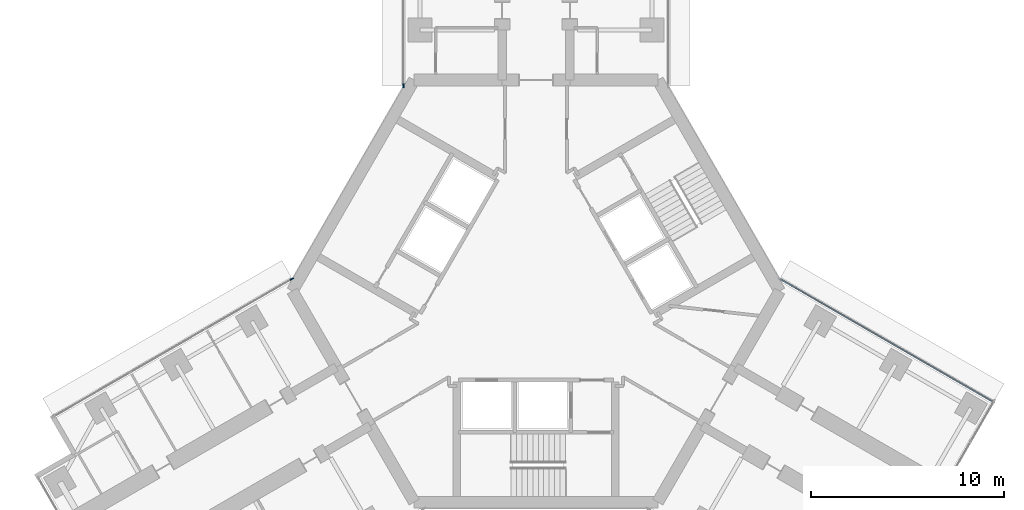
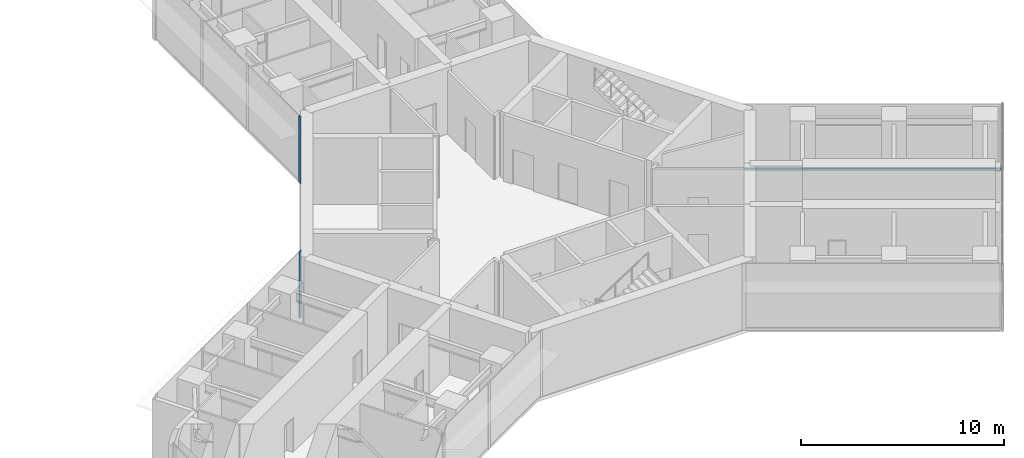
# One storey, part 9 of 23: 3 members, 3 elements without a shape of their own.
"""IFC4 building model written with IfcOpenShell, lengths in metres."""

from ifc_helpers import new_model, si_unit, direction, frame, origin, origin_2d, place, context, subcontext, project, spatial, rectangle, extrude, material, material_profile, profile_set, type_object, element, aggregate, save


model = new_model("IFC4")

# Units and contexts
model_context = context("Model", 3, precision=1e-05, world=origin(), true_north=direction((0.0, 1.0)))
body_context = subcontext(model_context, "Body", "Model", "MODEL_VIEW")
ifc_project = project(units=[si_unit("LENGTHUNIT", "METRE"), si_unit("AREAUNIT", "SQUARE_METRE"), si_unit("VOLUMEUNIT", "CUBIC_METRE"), si_unit("PLANEANGLEUNIT", "RADIAN"), si_unit("MASSUNIT", "GRAM", prefix="KILO")], contexts=[model_context])

# Site, building, storey
site_placement = place(None, origin())
site = spatial("IfcSite", under=ifc_project, at=site_placement, CompositionType="ELEMENT")
building_placement = place(site_placement, origin())
building = spatial("IfcBuilding", under=site, at=building_placement, Name="Upepo Twin Towers", CompositionType="ELEMENT")
storey_placement = place(building_placement, frame((0.0, 0.0, 149.5)))
storey = spatial("IfcBuildingStorey", under=building, at=storey_placement, Name="L36", CompositionType="ELEMENT", Elevation=149.5)

# Curtain wall, member
ifc_material_1 = material(Name="Aluminium and fritted glass", Category="aluminium")
curtain_wall_type = type_object("IfcCurtainWallType", Name="Tower curtain wall TW2, fritted glass", PredefinedType="NOTDEFINED", material=ifc_material_1)
curtain_wall_1_placement = place(storey_placement, origin())
curtain_wall_1 = element("IfcCurtainWall", 1, at=curtain_wall_1_placement, inside=storey, type_object=curtain_wall_type, Name="T2 L36 wing A flank L curtain wall", PredefinedType="NOTDEFINED")
ifc_material_2 = material(Name="Aluminium mullion", Category="aluminium")
ifc_material_profile_1 = material_profile(ifc_material_2, rectangle(XDim=0.06494140625, YDim=0.199951171875, at=origin_2d()), Name="MULLION 65x200")
ifc_profile_set_1 = profile_set([ifc_material_profile_1], Name="Aluminium mullion")
member_type_1 = type_object("IfcMemberType", Name="Mullion 65x200 TW2", PredefinedType="MULLION", material=ifc_profile_set_1)
member_1_placement = place(storey_placement, frame((51.64990234375, -7.38037109375, 0.0), z_axis=(0.0, 0.0, 1.0), x_axis=(-1.0, 0.0, 0.0)))
member_1 = element("IfcMember", 2, at=member_1_placement, type_object=member_type_1, Name="T2 L36 wing A flank L curtain wall mullion 1", PredefinedType="MULLION", context=body_context, shape_type="SweptSolid", body=[
    extrude(rectangle(XDim=0.06494140625, YDim=0.199951171875, at=origin_2d()), origin(), (0.0, 0.0, 1.0), 4.0),
])
aggregate(curtain_wall_1, [member_1])

curtain_wall_2_placement = place(storey_placement, origin())
curtain_wall_2 = element("IfcCurtainWall", 3, at=curtain_wall_2_placement, inside=storey, type_object=curtain_wall_type, Name="T2 L36 wing B flank R curtain wall", PredefinedType="NOTDEFINED")
member_2_placement = place(storey_placement, frame((45.878173828125, -17.37744140625, 0.0), z_axis=(0.0, 0.0, 1.0), x_axis=(-0.500000010308, 0.866025397833, 0.0)))
member_2 = element("IfcMember", 4, at=member_2_placement, type_object=member_type_1, Name="T2 L36 wing B flank R curtain wall mullion 4", PredefinedType="MULLION", context=body_context, shape_type="SweptSolid", body=[
    extrude(rectangle(XDim=0.06494140625, YDim=0.199951171875, at=origin_2d()), origin(), (0.0, 0.0, 1.0), 4.0),
])
aggregate(curtain_wall_2, [member_2])

curtain_wall_3_placement = place(storey_placement, origin())
curtain_wall_3 = element("IfcCurtainWall", 5, at=curtain_wall_3_placement, inside=storey, type_object=curtain_wall_type, Name="T2 L36 wing C flank L curtain wall", PredefinedType="NOTDEFINED")
ifc_material_3 = material(Name="Aluminium transom", Category="aluminium")
ifc_material_profile_2 = material_profile(ifc_material_3, rectangle(XDim=0.06494140625, YDim=0.14990234375, at=origin_2d()), Name="TRANSOM 65x150")
ifc_profile_set_2 = profile_set([ifc_material_profile_2], Name="Aluminium transom")
member_type_2 = type_object("IfcMemberType", Name="Transom 65x150 TW2", PredefinedType="USERDEFINED", material=ifc_profile_set_2)
member_3_placement = place(storey_placement, frame((71.14990234375, -17.393798828125, 0.074951171875), z_axis=(0.866027247007, -0.499996807431, 0.0), x_axis=(0.499996807431, 0.866027247007, 0.0)))
member_3 = element("IfcMember", 6, at=member_3_placement, type_object=member_type_2, Name="T2 L36 wing C flank L curtain wall transom 1", ObjectType="TRANSOM", PredefinedType="USERDEFINED", context=body_context, shape_type="SweptSolid", body=[
    extrude(rectangle(XDim=0.06494140625, YDim=0.14990234375, at=origin_2d()), origin(), (0.0, 0.0, 1.0), 12.6328125),
])
aggregate(curtain_wall_3, [member_3])

save(model, "model.ifc")
